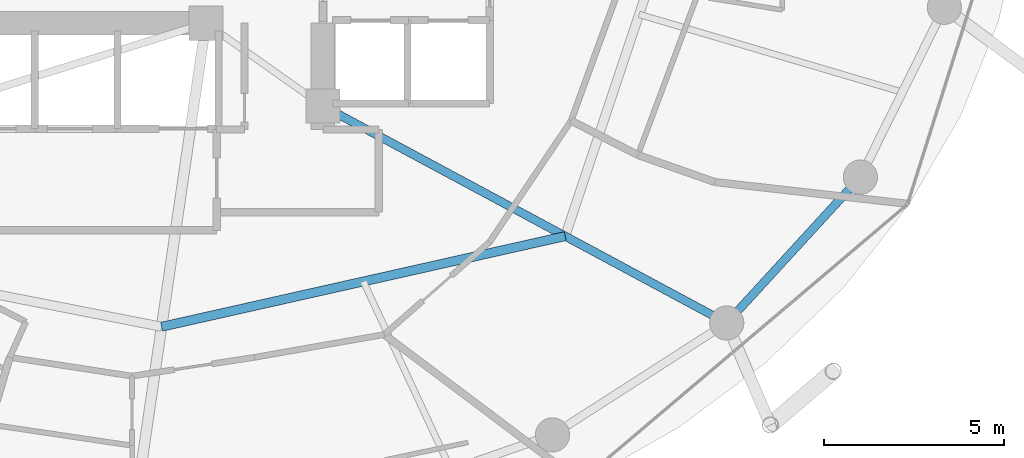
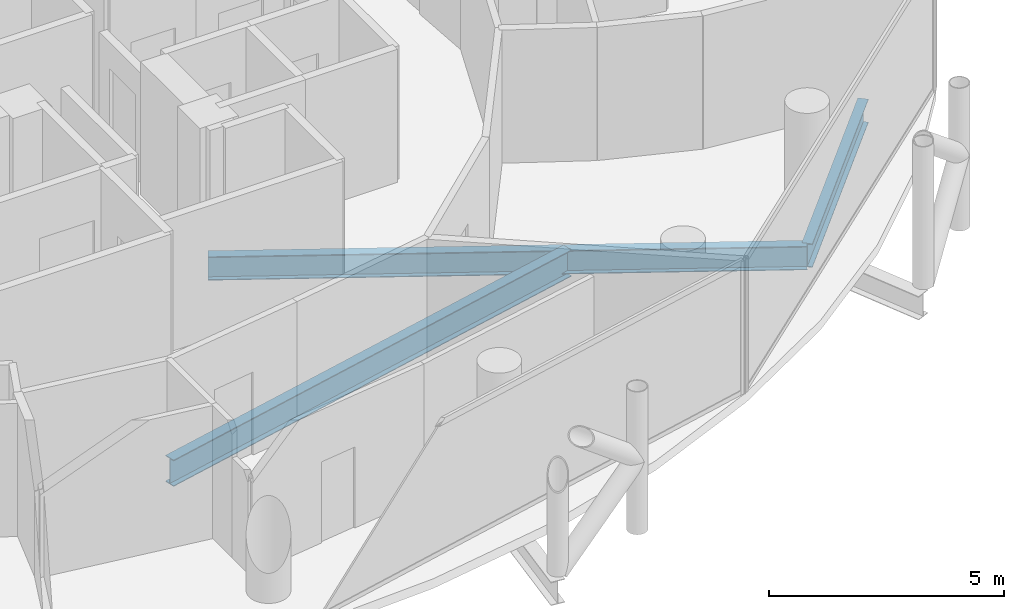
# One storey, part 9 of 26: 3 beams.
"""IFC4 building model written with IfcOpenShell, lengths in metres."""

import ifcopenshell
import ifcopenshell.guid

model = None  # the IFC model being written
_history = None  # IfcOwnerHistory: only IFC2X3 demands one
_inside = {}  # id of a spatial element -> (the spatial element, [elements in it])
_under = {}  # id of a project, library or spatial element -> (it, [spatial elements below it])
_declared = {}  # id of a project -> (the project, [libraries it declares])
_typed = {}  # id of a type object -> (the type object, [elements of that type])
_made_of = {}  # id of a material, layer set ... -> (it, [elements and type objects made of it])


def new_model(schema):
    """Start an empty IFC model of exactly this schema.

    Asked for "IFC4X3", IfcOpenShell would pick the latest addendum, in which some entities
    have other attributes; the version numbers below select the first issue.
    IFC2X3 requires an IfcOwnerHistory on every rooted entity: one is made here for all.
    """
    global model, _history
    if schema == "IFC4X3":
        model = ifcopenshell.file(schema_version=(4, 3, 0, 0))
    else:
        model = ifcopenshell.file(schema=schema)
    _inside.clear()
    _under.clear()
    _declared.clear()
    _typed.clear()
    _made_of.clear()
    _history = None
    if model.schema == "IFC2X3":
        org = make("IfcOrganization", Name="unknown")
        user = make(
            "IfcPersonAndOrganization",
            ThePerson=make("IfcPerson", FamilyName="unknown"),
            TheOrganization=org,
        )
        app = make(
            "IfcApplication",
            ApplicationDeveloper=org,
            Version="unknown",
            ApplicationFullName="unknown",
            ApplicationIdentifier="unknown",
        )
        _history = make(
            "IfcOwnerHistory",
            OwningUser=user,
            OwningApplication=app,
            ChangeAction="ADDED",
            CreationDate=0,
        )
    return model


def make(cls, **values):
    """One entity of the class cls with the attributes given. An attribute that is None is left unset."""
    return model.create_entity(
        cls, **{name: value for name, value in values.items() if value is not None}
    )


def rooted(cls, **values):
    """An entity with a GlobalId (a new one), such as an element, a storey or a relation."""
    return make(cls, GlobalId=ifcopenshell.guid.new(), OwnerHistory=_history, **values)


def si_unit(unit_type, name, prefix=None):
    """IfcSIUnit, for example si_unit("LENGTHUNIT", "METRE", prefix="MILLI")."""
    return make("IfcSIUnit", UnitType=unit_type, Prefix=prefix, Name=name)


def assignment(units):
    """IfcUnitAssignment: the units of a project."""
    return None if units is None else make("IfcUnitAssignment", Units=units)


def point(xyz):
    """IfcCartesianPoint."""
    return None if xyz is None else make("IfcCartesianPoint", Coordinates=xyz)


def direction(xyz):
    """IfcDirection."""
    return None if xyz is None else make("IfcDirection", DirectionRatios=xyz)


def frame(location, z_axis=None, x_axis=None):
    """IfcAxis2Placement3D, a coordinate frame: its origin and axes. An axis left out is left unset."""
    return make(
        "IfcAxis2Placement3D",
        Location=point(location),
        Axis=direction(z_axis),
        RefDirection=direction(x_axis),
    )


def frame_2d(location, x_axis=None):
    """IfcAxis2Placement2D, a coordinate frame in the plane: its origin and x axis."""
    return make(
        "IfcAxis2Placement2D", Location=point(location), RefDirection=direction(x_axis)
    )


def origin():
    """The frame at (0, 0, 0) with its axes left unset."""
    return frame((0.0, 0.0, 0.0))


def origin_2d():
    """The frame at (0, 0) in the plane with its x axis left unset."""
    return frame_2d((0.0, 0.0))


def place(relative_to, where):
    """IfcLocalPlacement: puts the frame where relative to a parent placement (None: the world)."""
    return make(
        "IfcLocalPlacement", PlacementRelTo=relative_to, RelativePlacement=where
    )


def context(
    kind, dimensions, precision=None, world=None, true_north=None, identifier=None
):
    """IfcGeometricRepresentationContext, for example the 3D "Model" context."""
    return make(
        "IfcGeometricRepresentationContext",
        ContextIdentifier=identifier,
        ContextType=kind,
        CoordinateSpaceDimension=dimensions,
        Precision=precision,
        WorldCoordinateSystem=world,
        TrueNorth=true_north,
    )


def subcontext(parent, identifier, kind, view, scale=None):
    """IfcGeometricRepresentationSubContext, for example "Body" below "Model"."""
    return make(
        "IfcGeometricRepresentationSubContext",
        ContextIdentifier=identifier,
        ContextType=kind,
        ParentContext=parent,
        TargetScale=scale,
        TargetView=view,
    )


def project(units=None, contexts=None):
    """IfcProject with its units and contexts."""
    return rooted(
        "IfcProject",
        Name="project",
        RepresentationContexts=contexts,
        UnitsInContext=assignment(units),
    )


def spatial(cls, under=None, at=None, **own):
    """A site, building, storey or space (cls), placed at a placement, below another one or the project."""
    s = rooted(cls, ObjectPlacement=at, **own)
    if under is not None:
        _under.setdefault(under.id(), (under, []))[1].append(s)
    return s


def profile(cls, at=None, kind="AREA", **sizes):
    """A parametric profile (cls). Its sizes go by their IFC names, for example OverallWidth=200.0."""
    return make(cls, ProfileType=kind, Position=at, **sizes)


def i_section(**sizes):
    """IfcIShapeProfileDef."""
    return profile("IfcIShapeProfileDef", **sizes)


def extrude(swept, where, along, depth):
    """IfcExtrudedAreaSolid: the profile swept, set in the frame where, extruded along a direction by depth."""
    return make(
        "IfcExtrudedAreaSolid",
        SweptArea=swept,
        Position=where,
        ExtrudedDirection=direction(along),
        Depth=depth,
    )


def shape(context_of_items, identifier, shape_type, items):
    """IfcShapeRepresentation: the items that make up one representation, for example the "Body"."""
    return make(
        "IfcShapeRepresentation",
        ContextOfItems=context_of_items,
        RepresentationIdentifier=identifier,
        RepresentationType=shape_type,
        Items=items,
    )


def material(Name=None, Category=None):
    """IfcMaterial."""
    return make("IfcMaterial", Name=Name, Category=Category)


def material_profile(
    of_material, cross_section, Name=None, Category=None, Priority=None
):
    """IfcMaterialProfile: a cross section and its material."""
    return make(
        "IfcMaterialProfile",
        Name=Name,
        Material=of_material,
        Profile=cross_section,
        Priority=Priority,
        Category=Category,
    )


def profile_set(profiles, Name=None, composite=None):
    """IfcMaterialProfileSet."""
    return make(
        "IfcMaterialProfileSet",
        Name=Name,
        MaterialProfiles=profiles,
        CompositeProfile=composite,
    )


def made_of(thing, what):
    """Note that an element or type object is made of a material, layer set ...; save() writes the relation."""
    if what is not None:
        _made_of.setdefault(what.id(), (what, []))[1].append(thing)
    return thing


def type_object(cls, material=None, **own):
    """A type object (cls), such as IfcWallType, which elements share."""
    return made_of(rooted(cls, **own), material)


def element(
    cls,
    number,
    at=None,
    inside=None,
    cuts=None,
    type_object=None,
    material=None,
    context=None,
    identifier="Body",
    shape_type=None,
    held_by="IfcProductDefinitionShape",
    body=None,
    shapes=None,
    **own,
):
    """One element of the class cls, such as IfcWall. Its Tag is "e" and its number.

    at: its placement. inside: the storey or other place that contains it. cuts: it is an
    opening in that element (IfcRelVoidsElement). A single representation is given by context,
    identifier, shape_type and body (its items); several are given by shapes. held_by: the class
    of the entity that holds the representations. save() writes the other relations.
    """
    e = rooted(cls, Tag="e%d" % number, ObjectPlacement=at, **own)
    if body is not None:
        shapes = [shape(context, identifier, shape_type, body)]
    if shapes is not None:
        e.Representation = make(held_by, Representations=shapes)
    if inside is not None:
        _inside.setdefault(inside.id(), (inside, []))[1].append(e)
    if cuts is not None:
        rooted(
            "IfcRelVoidsElement", RelatingBuildingElement=cuts, RelatedOpeningElement=e
        )
    if type_object is not None:
        _typed.setdefault(type_object.id(), (type_object, []))[1].append(e)
    return made_of(e, material)


def aggregate(whole, parts):
    """IfcRelAggregates: a whole, such as a stair, and the parts it consists of."""
    return rooted("IfcRelAggregates", RelatingObject=whole, RelatedObjects=parts)


def save(model, path):
    """Write the relations noted so far, then the file.

    IfcRelAggregates (storeys below a building ...), IfcRelContainedInSpatialStructure (elements
    in a storey), IfcRelDefinesByType, IfcRelAssociatesMaterial and IfcRelDeclares: one each for
    every whole, place, type object, material and project.
    """
    for whole, parts in _under.values():
        aggregate(whole, parts)
    for where, things in _inside.values():
        rooted(
            "IfcRelContainedInSpatialStructure",
            RelatedElements=things,
            RelatingStructure=where,
        )
    for kind, things in _typed.values():
        rooted("IfcRelDefinesByType", RelatedObjects=things, RelatingType=kind)
    for what, things in _made_of.values():
        rooted("IfcRelAssociatesMaterial", RelatedObjects=things, RelatingMaterial=what)
    for by, libraries in _declared.values():
        rooted("IfcRelDeclares", RelatingContext=by, RelatedDefinitions=libraries)
    model.write(path)


model = new_model("IFC4")

# Units and contexts
model_context = context("Model", 3, precision=1e-05, world=origin(), true_north=direction((0.0, 1.0)))
body_context = subcontext(model_context, "Body", "Model", "MODEL_VIEW")
ifc_project = project(units=[si_unit("LENGTHUNIT", "METRE"), si_unit("AREAUNIT", "SQUARE_METRE"), si_unit("VOLUMEUNIT", "CUBIC_METRE"), si_unit("PLANEANGLEUNIT", "RADIAN"), si_unit("MASSUNIT", "GRAM", prefix="KILO")], contexts=[model_context])

# Site, building, storey
site_placement = place(None, origin())
site = spatial("IfcSite", under=ifc_project, at=site_placement, CompositionType="ELEMENT")
building_placement = place(site_placement, origin())
building = spatial("IfcBuilding", under=site, at=building_placement, Name="Nuhasar Tower", CompositionType="ELEMENT")
storey_placement = place(building_placement, frame((0.0, 0.0, 133.050048828125)))
storey = spatial("IfcBuildingStorey", under=building, at=storey_placement, Name="L31", CompositionType="ELEMENT", Elevation=133.050048828125)

# Beams
ifc_material = material(Name="Steel S355", Category="steel")
ifc_material_profile_1 = material_profile(ifc_material, i_section(OverallWidth=0.25390625, OverallDepth=0.68408203125, WebThickness=0.012451171875, FlangeThickness=0.018798828125, at=origin_2d()), Name="W27X94")
ifc_profile_set_1 = profile_set([ifc_material_profile_1], Name="Steel S355")
beam_type_1 = type_object("IfcBeamType", Name="BM-INRING-W27X94", PredefinedType="BEAM", material=ifc_profile_set_1)
beam_1_placement = place(storey_placement, frame((39.820068359375, 12.8701171875, -0.592041015625), z_axis=(0.975716159385, 0.219038755282, 0.0), x_axis=(-0.219038755282, 0.975716159385, 0.0)))
element("IfcBeam", 1, at=beam_1_placement, inside=storey, type_object=beam_type_1, Name="L31 Inner Header Beam 02", PredefinedType="BEAM", context=body_context, shape_type="SweptSolid", body=[
    extrude(i_section(OverallWidth=0.25390625, OverallDepth=0.68408203125, WebThickness=0.012451171875, FlangeThickness=0.018798828125, at=origin_2d()), origin(), (0.0, 0.0, 1.0), 11.48583984375),
])
ifc_material_profile_2 = material_profile(ifc_material, i_section(OverallWidth=0.22900390625, OverallDepth=0.612060546875, WebThickness=0.011962890625, FlangeThickness=0.01953125, at=origin_2d()), Name="W24X84")
ifc_profile_set_2 = profile_set([ifc_material_profile_2], Name="Steel S355")
beam_type_2 = type_object("IfcBeamType", Name="BM-RAD-W24X84", PredefinedType="BEAM", material=ifc_profile_set_2)
beam_2_placement = place(storey_placement, frame((44.300048828125, 19.0, -0.55615234375), z_axis=(0.880888386928, -0.473324043098, 0.0), x_axis=(0.473324043098, 0.880888386928, 0.0)))
element("IfcBeam", 2, at=beam_2_placement, inside=storey, type_object=beam_type_2, Name="L31 Radial Floor Girder 03", PredefinedType="BEAM", context=body_context, shape_type="SweptSolid", body=[
    extrude(i_section(OverallWidth=0.22900390625, OverallDepth=0.612060546875, WebThickness=0.011962890625, FlangeThickness=0.01953125, at=origin_2d()), origin(), (0.0, 0.0, 1.0), 12.726806640625),
])
ifc_material_profile_3 = material_profile(ifc_material, i_section(OverallWidth=0.22998046875, OverallDepth=0.616943359375, WebThickness=0.01318359375, FlangeThickness=0.022216796875, at=origin_2d()), Name="W24X94")
ifc_profile_set_3 = profile_set([ifc_material_profile_3], Name="Steel S355")
beam_type_3 = type_object("IfcBeamType", Name="BM-RING-W24X94", PredefinedType="SPANDREL", material=ifc_profile_set_3)
beam_3_placement = place(storey_placement, frame((55.510986328125, 12.97607421875, -0.55810546875), z_axis=(0.675676316545, 0.737198423262, 0.0), x_axis=(-0.737198423262, 0.675676316545, 0.0)))
element("IfcBeam", 3, at=beam_3_placement, inside=storey, type_object=beam_type_3, Name="L31 Perimeter Ring Spandrel 22", PredefinedType="SPANDREL", context=body_context, shape_type="SweptSolid", body=[
    extrude(i_section(OverallWidth=0.22998046875, OverallDepth=0.616943359375, WebThickness=0.01318359375, FlangeThickness=0.022216796875, at=origin_2d()), origin(), (0.0, 0.0, 1.0), 5.4921875),
])

save(model, "model.ifc")
